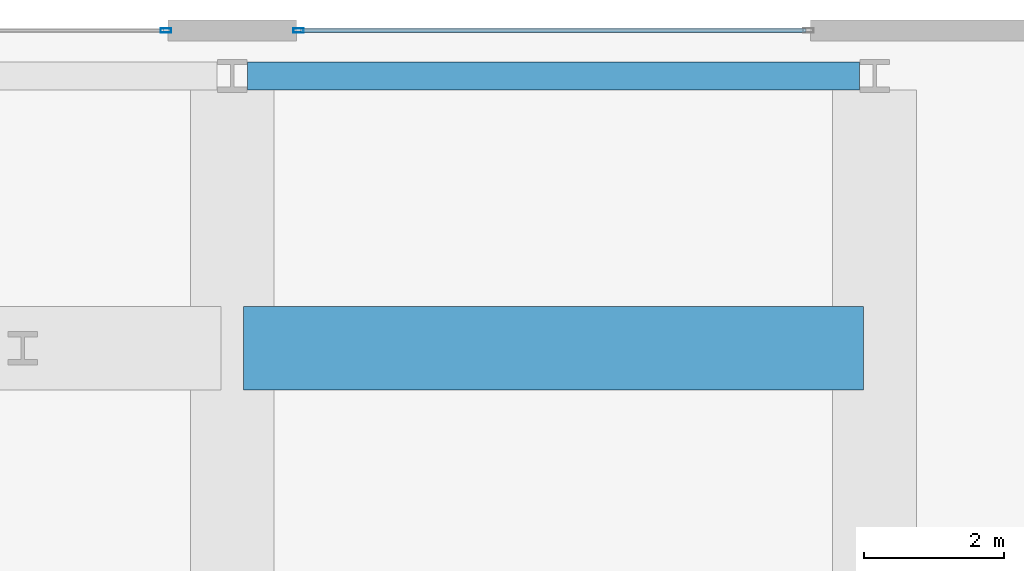
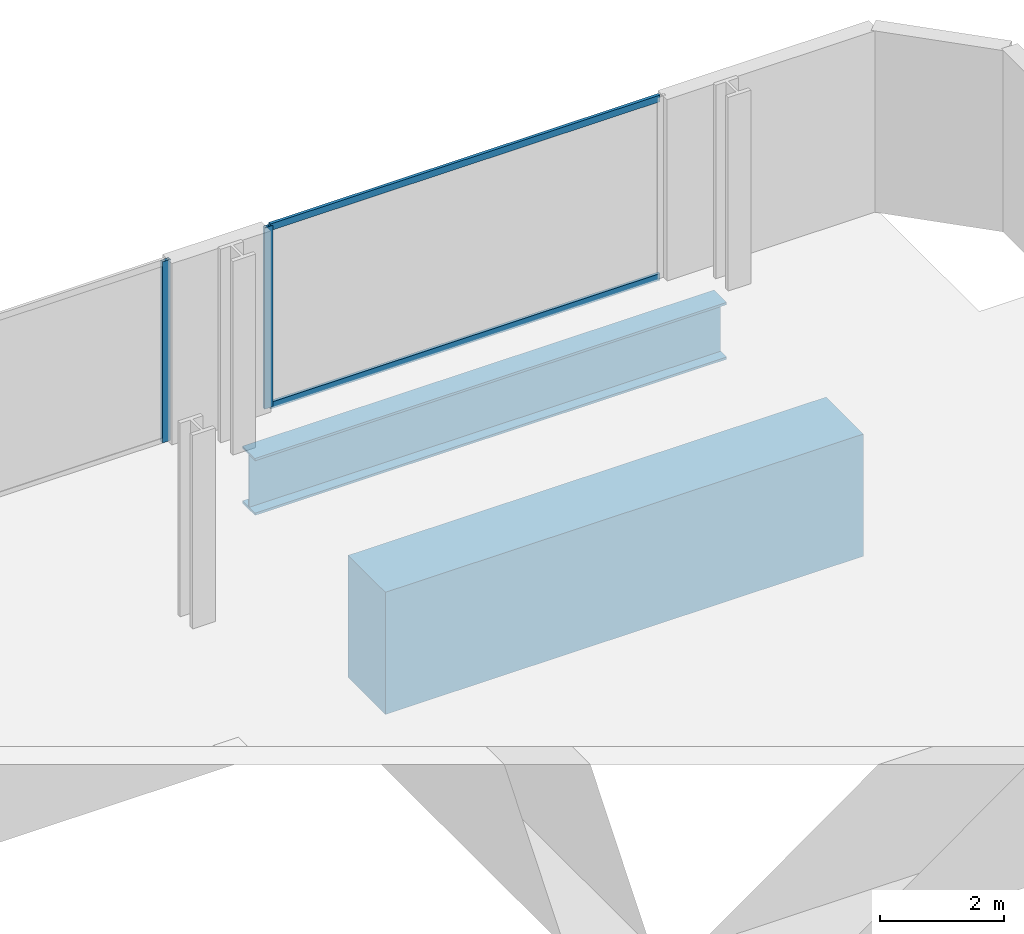
# One storey, part 19 of 27: 4 members, 2 beams, 2 elements without a shape of their own.
"""IFC4 building model written with IfcOpenShell, lengths in metres."""

from ifc_helpers import new_model, si_unit, direction, frame, origin, origin_2d, place, context, subcontext, project, spatial, rectangle, hollow_rectangle, i_section, extrude, material, layer, layer_set, material_profile, profile_set, type_object, element, aggregate, save


model = new_model("IFC4")

# Units and contexts
model_context = context("Model", 3, precision=1e-05, world=origin(), true_north=direction((0.0, 1.0)))
body_context = subcontext(model_context, "Body", "Model", "MODEL_VIEW")
ifc_project = project(units=[si_unit("LENGTHUNIT", "METRE"), si_unit("AREAUNIT", "SQUARE_METRE"), si_unit("VOLUMEUNIT", "CUBIC_METRE"), si_unit("PLANEANGLEUNIT", "RADIAN"), si_unit("MASSUNIT", "GRAM", prefix="KILO")], contexts=[model_context])

# Site, building, storey
site_placement = place(None, origin())
site = spatial("IfcSite", under=ifc_project, at=site_placement, CompositionType="ELEMENT")
building_placement = place(site_placement, origin())
building = spatial("IfcBuilding", under=site, at=building_placement, Name="Zuhayl Quay Hotel", CompositionType="ELEMENT")
storey_placement = place(building_placement, frame((0.0, 0.0, 297.25)))
storey = spatial("IfcBuildingStorey", under=building, at=storey_placement, Name="Crown 1", CompositionType="ELEMENT", Elevation=297.25)

# Beams
ifc_material_1 = material(Name="Concrete C60/75", Category="concrete")
ifc_material_profile_1 = material_profile(ifc_material_1, rectangle(XDim=1.199951171875, YDim=2.39990234375, at=origin_2d()), Name="RC1200X2400")
ifc_profile_set_1 = profile_set([ifc_material_profile_1], Name="Concrete C60/75")
beam_type_1 = type_object("IfcBeamType", Name="BM_TG0_RC2400", PredefinedType="BEAM", material=ifc_profile_set_1)
beam_1_placement = place(storey_placement, frame((4.760009765625, 34.449951171875, -1.43994140625), z_axis=(1.0, 0.0, 0.0), x_axis=(0.0, 1.0, 0.0)))
element("IfcBeam", 1, at=beam_1_placement, inside=storey, type_object=beam_type_1, Name="Crown 1 Floor Beam CR_EW_1_2_3", PredefinedType="BEAM", context=body_context, shape_type="SweptSolid", body=[
    extrude(rectangle(XDim=1.199951171875, YDim=2.39990234375, at=origin_2d()), origin(), (0.0, 0.0, 1.0), 8.8798828125),
])
ifc_material_2 = material(Name="Steel ASTM A913 Grade 65", Category="steel")
ifc_material_profile_2 = material_profile(ifc_material_2, i_section(OverallWidth=0.404052734375, OverallDepth=1.117919921875, WebThickness=0.026123046875, FlangeThickness=0.044921875, at=origin_2d()), Name="W44X335")
ifc_profile_set_2 = profile_set([ifc_material_profile_2], Name="Steel ASTM A913 Grade 65")
beam_type_2 = type_object("IfcBeamType", Name="BM_TG1_W44X335", PredefinedType="BEAM", material=ifc_profile_set_2)
beam_2_placement = place(storey_placement, frame((4.820068359375, 38.35009765625, -0.799072265625), z_axis=(1.0, 0.0, 0.0), x_axis=(0.0, 1.0, 0.0)))
element("IfcBeam", 2, at=beam_2_placement, inside=storey, type_object=beam_type_2, Name="Crown 1 Floor Beam CR_N_E_1", PredefinedType="BEAM", context=body_context, shape_type="SweptSolid", body=[
    extrude(i_section(OverallWidth=0.404052734375, OverallDepth=1.117919921875, WebThickness=0.026123046875, FlangeThickness=0.044921875, at=origin_2d()), origin(), (0.0, 0.0, 1.0), 8.760009765625),
])

# Curtain wall, member
ifc_material_3 = material(Name="Anodised Aluminium 6063-T6", Category="aluminium")
ifc_layer = layer(ifc_material_3, 0.159912109375, Name="Anodised Aluminium 6063-T6", Category="aluminium")
ifc_layer_set = layer_set([ifc_layer], Name="Anodised Aluminium 6063-T6")
curtain_wall_type = type_object("IfcCurtainWallType", Name="CW_SYS_CRN", PredefinedType="USERDEFINED", material=ifc_layer_set)
curtain_wall_1_placement = place(storey_placement, origin())
curtain_wall_1 = element("IfcCurtainWall", 3, at=curtain_wall_1_placement, inside=storey, type_object=curtain_wall_type, Name="Crown 1 Curtain Wall ENV_CR1_E3_CW4", ObjectType="UNITISED CURTAIN WALL", PredefinedType="USERDEFINED")
ifc_material_4 = material(Name="Black-anodised aluminium 6063-T6", Category="aluminium")
ifc_material_profile_3 = material_profile(ifc_material_4, hollow_rectangle(XDim=0.06005859375, YDim=0.14990234375, WallThickness=0.00341796875, at=origin_2d()), Name="ALU150X60")
ifc_profile_set_3 = profile_set([ifc_material_profile_3], Name="Black-anodised aluminium 6063-T6")
member_type_1 = type_object("IfcMemberType", Name="MB_CW_MUL_150", PredefinedType="MULLION", material=ifc_profile_set_3)
member_1_placement = place(storey_placement, frame((3.64990234375, 39.0, 0.0), z_axis=(0.0, 0.0, 1.0), x_axis=(0.0, 1.0, 0.0)))
member_1 = element("IfcMember", 4, at=member_1_placement, type_object=member_type_1, Name="CW-CRN mullion 2", PredefinedType="MULLION", context=body_context, shape_type="SweptSolid", body=[
    extrude(hollow_rectangle(XDim=0.06005859375, YDim=0.14990234375, WallThickness=0.00341796875, at=origin_2d()), origin(), (0.0, 0.0, 1.0), 3.56005859375),
])
aggregate(curtain_wall_1, [member_1])

# Curtain wall, members
curtain_wall_2_placement = place(storey_placement, origin())
curtain_wall_2 = element("IfcCurtainWall", 5, at=curtain_wall_2_placement, inside=storey, type_object=curtain_wall_type, Name="Crown 1 Curtain Wall ENV_CR1_E3_CW5", ObjectType="UNITISED CURTAIN WALL", PredefinedType="USERDEFINED")
member_2_placement = place(storey_placement, frame((5.550048828125, 39.0, 0.0), z_axis=(0.0, 0.0, 1.0), x_axis=(0.0, 1.0, 0.0)))
member_2 = element("IfcMember", 6, at=member_2_placement, type_object=member_type_1, Name="CW-CRN mullion 1", PredefinedType="MULLION", context=body_context, shape_type="SweptSolid", body=[
    extrude(hollow_rectangle(XDim=0.06005859375, YDim=0.14990234375, WallThickness=0.00341796875, at=origin_2d()), origin(), (0.0, 0.0, 1.0), 3.56005859375),
])
ifc_material_profile_4 = material_profile(ifc_material_4, hollow_rectangle(XDim=0.054931640625, YDim=0.1298828125, WallThickness=0.0029296875, at=origin_2d()), Name="ALU130X55")
ifc_profile_set_4 = profile_set([ifc_material_profile_4], Name="Black-anodised aluminium 6063-T6")
member_type_2 = type_object("IfcMemberType", Name="MB_CW_TRN_130", PredefinedType="USERDEFINED", material=ifc_profile_set_4)
member_3_placement = place(storey_placement, frame((5.580078125, 39.0, 0.027587890625), z_axis=(1.0, 0.0, 0.0), x_axis=(0.0, 1.0, 0.0)))
member_3 = element("IfcMember", 7, at=member_3_placement, type_object=member_type_2, Name="CW-CRN transom 1.1", ObjectType="TRANSOM", PredefinedType="USERDEFINED", context=body_context, shape_type="SweptSolid", body=[
    extrude(hollow_rectangle(XDim=0.054931640625, YDim=0.1298828125, WallThickness=0.0029296875, at=origin_2d()), origin(), (0.0, 0.0, 1.0), 7.239990234375),
])
member_4_placement = place(storey_placement, frame((5.580078125, 39.0, 3.532470703125), z_axis=(1.0, 0.0, 0.0), x_axis=(0.0, 1.0, 0.0)))
member_4 = element("IfcMember", 8, at=member_4_placement, type_object=member_type_2, Name="CW-CRN transom 1.2", ObjectType="TRANSOM", PredefinedType="USERDEFINED", context=body_context, shape_type="SweptSolid", body=[
    extrude(hollow_rectangle(XDim=0.054931640625, YDim=0.1298828125, WallThickness=0.0029296875, at=origin_2d()), origin(), (0.0, 0.0, 1.0), 7.239990234375),
])
aggregate(curtain_wall_2, [member_2, member_3, member_4])

save(model, "model.ifc")
